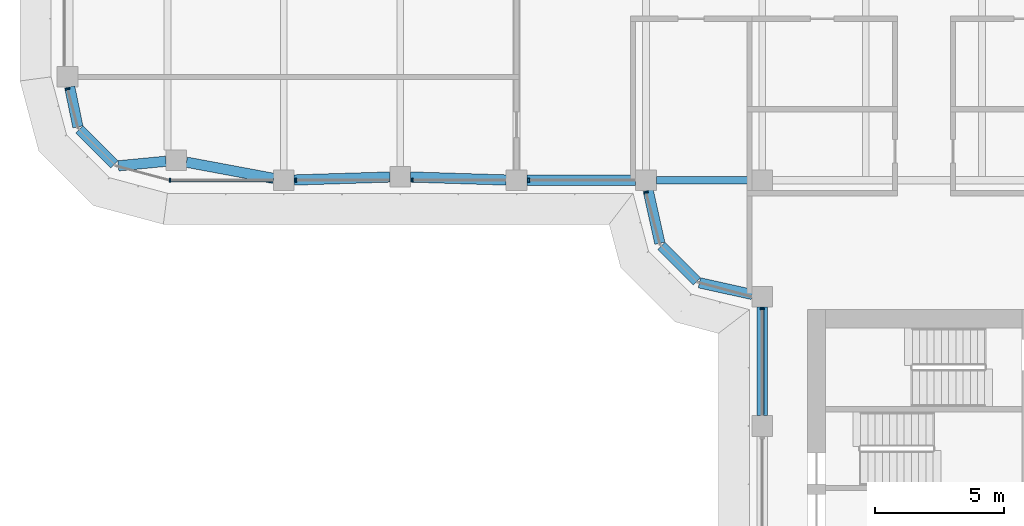
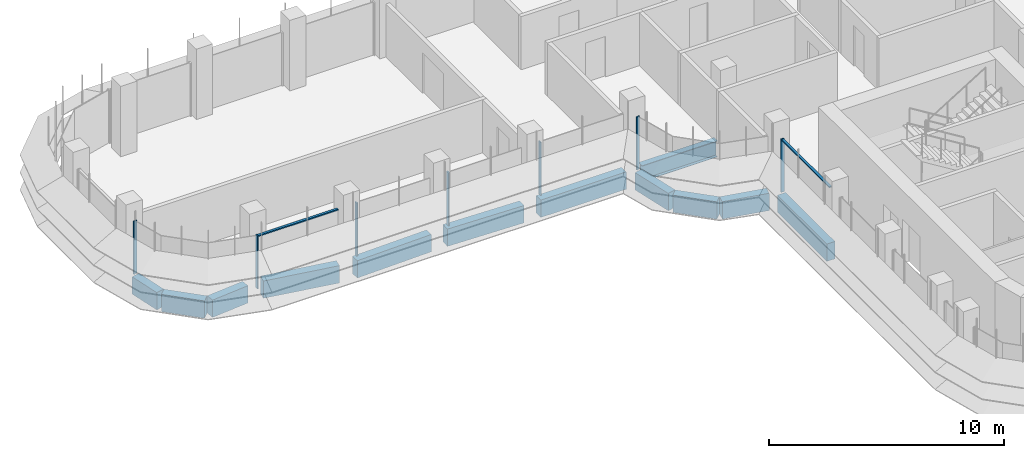
# One storey, part 3 of 19: 12 beams, 9 members, 4 elements without a shape of their own.
"""IFC4 building model written with IfcOpenShell, lengths in metres."""

from ifc_helpers import new_model, si_unit, direction, frame, origin, origin_2d, place, context, subcontext, project, spatial, polyline, rectangle, i_section, outline, extrude, source, transform, mapped, material, material_profile, profile_set, type_object, element, aggregate, save


model = new_model("IFC4")

# Units and contexts
model_context = context("Model", 3, precision=1e-05, world=origin(), true_north=direction((0.0, 1.0)))
body_context = subcontext(model_context, "Body", "Model", "MODEL_VIEW")
ifc_project = project(units=[si_unit("LENGTHUNIT", "METRE"), si_unit("AREAUNIT", "SQUARE_METRE"), si_unit("VOLUMEUNIT", "CUBIC_METRE"), si_unit("PLANEANGLEUNIT", "RADIAN"), si_unit("MASSUNIT", "GRAM", prefix="KILO")], contexts=[model_context])

# Site, building, storey
site_placement = place(None, origin())
site = spatial("IfcSite", under=ifc_project, at=site_placement, CompositionType="ELEMENT")
building_placement = place(site_placement, origin())
building = spatial("IfcBuilding", under=site, at=building_placement, Name="Zarbagh Exchange Tower", CompositionType="ELEMENT")
storey_placement = place(building_placement, frame((0.0, 0.0, 179.0)))
storey = spatial("IfcBuildingStorey", under=building, at=storey_placement, Name="L43", CompositionType="ELEMENT", Elevation=179.0)

# Beams
ifc_material_1 = material(Name="Steel ASTM A992 Gr 50", Category="steel")
ifc_material_profile_1 = material_profile(ifc_material_1, i_section(OverallWidth=0.2919921875, OverallDepth=0.835693359375, WebThickness=0.013916015625, FlangeThickness=0.018798828125, at=origin_2d()), Name="W33X118")
ifc_profile_set_1 = profile_set([ifc_material_profile_1], Name="Steel ASTM A992 Gr 50")
beam_type_1 = type_object("IfcBeamType", Name="Floor girder W33X118", PredefinedType="BEAM", material=ifc_profile_set_1)
beam_1_placement = place(storey_placement, frame((-10.35009765625, -6.25, -0.56787109375), z_axis=(1.0, 0.0, 0.0), x_axis=(0.0, 1.0, 0.0)))
element("IfcBeam", 1, at=beam_1_placement, inside=storey, type_object=beam_type_1, Name="Steel girder", PredefinedType="BEAM", context=body_context, shape_type="SweptSolid", body=[
    extrude(i_section(OverallWidth=0.2919921875, OverallDepth=0.835693359375, WebThickness=0.013916015625, FlangeThickness=0.018798828125, at=origin_2d()), origin(), (0.0, 0.0, 1.0), 3.7001953125),
])
ifc_material_2 = material(Name="Concrete C50/60", Category="concrete")
ifc_material_profile_2 = material_profile(ifc_material_2, rectangle(XDim=0.39990234375, YDim=0.89990234375, at=origin_2d()), Name="RC spandrel beam 400 x 900 C50/60")
ifc_profile_set_2 = profile_set([ifc_material_profile_2], Name="Concrete C50/60")
beam_type_2 = type_object("IfcBeamType", Name="RC spandrel beam 400 x 900 C50/60", PredefinedType="SPANDREL", material=ifc_profile_set_2)
beam_2_placement = place(storey_placement, frame((-6.25, -15.35009765625, -0.60009765625), z_axis=(0.0, 1.0, 0.0), x_axis=(-1.0, 0.0, 0.0)))
element("IfcBeam", 2, at=beam_2_placement, inside=storey, type_object=beam_type_2, Name="RC spandrel beam", PredefinedType="SPANDREL", context=body_context, shape_type="SweptSolid", body=[
    extrude(rectangle(XDim=0.39990234375, YDim=0.89990234375, at=origin_2d()), origin(), (0.0, 0.0, 1.0), 4.2001953125),
])
beam_3_placement = place(storey_placement, frame((-6.640625, -10.66357421875, -0.60009765625), z_axis=(-0.976384278741, 0.216041061437, 0.0), x_axis=(-0.216041061437, -0.976384278741, 0.0)))
element("IfcBeam", 3, at=beam_3_placement, inside=storey, type_object=beam_type_2, Name="RC spandrel beam", PredefinedType="SPANDREL", context=body_context, shape_type="SweptSolid", body=[
    extrude(rectangle(XDim=0.39990234375, YDim=0.89990234375, at=origin_2d()), origin(), (0.0, 0.0, 1.0), 2.0927734375),
])
beam_4_placement = place(storey_placement, frame((-8.782470703125, -10.15771484375, -0.60009765625), z_axis=(-0.707106781187, 0.707106781187, 0.0), x_axis=(-0.707106781187, -0.707106781187, 0.0)))
element("IfcBeam", 4, at=beam_4_placement, inside=storey, type_object=beam_type_2, Name="RC spandrel beam", PredefinedType="SPANDREL", context=body_context, shape_type="SweptSolid", body=[
    extrude(rectangle(XDim=0.39990234375, YDim=0.89990234375, at=origin_2d()), origin(), (0.0, 0.0, 1.0), 1.94482421875),
])
beam_5_placement = place(storey_placement, frame((-10.21142578125, -8.68408203125, -0.60009765625), z_axis=(-0.216041061437, 0.976384278741, 0.0), x_axis=(-0.976384278741, -0.216041061437, 0.0)))
element("IfcBeam", 5, at=beam_5_placement, inside=storey, type_object=beam_type_2, Name="RC spandrel beam", PredefinedType="SPANDREL", context=body_context, shape_type="SweptSolid", body=[
    extrude(rectangle(XDim=0.39990234375, YDim=0.89990234375, at=origin_2d()), origin(), (0.0, 0.0, 1.0), 2.0927734375),
])
beam_6_placement = place(storey_placement, frame((-11.14990234375, -6.25, -0.60009765625), z_axis=(-1.0, 0.0, 0.0), x_axis=(0.0, -1.0, 0.0)))
element("IfcBeam", 6, at=beam_6_placement, inside=storey, type_object=beam_type_2, Name="RC spandrel beam", PredefinedType="SPANDREL", context=body_context, shape_type="SweptSolid", body=[
    extrude(rectangle(XDim=0.39990234375, YDim=0.89990234375, at=origin_2d()), origin(), (0.0, 0.0, 1.0), 4.2001953125),
])
for number, where, z_axis, x_axis, name in (
    (7, (-16.14990234375, -6.237548828125, -0.60009765625), (-0.999515416033, 0.031127690444, 0.0), (-0.031127690444, -0.999515416033, 0.0), "RC spandrel beam"),
    (8, (-20.64990234375, -6.122314453125, -0.60009765625), (-0.999515416033, -0.031127690444, 0.0), (0.031127690444, -0.999515416033, 0.0), "RC spandrel beam"),
):
    element("IfcBeam", number, at=place(storey_placement, frame(where, z_axis=z_axis, x_axis=x_axis)), inside=storey, type_object=beam_type_2, Name=name, PredefinedType="SPANDREL", context=body_context, shape_type="SweptSolid", body=[
        extrude(rectangle(XDim=0.39990234375, YDim=0.89990234375, at=origin_2d()), origin(), (0.0, 0.0, 1.0), 3.701904296875),
    ])
beam_7_placement = place(storey_placement, frame((-25.143310546875, -6.1767578125, -0.60009765625), z_axis=(-0.983069862768, 0.183231124313, 0.0), x_axis=(-0.183231124313, -0.983069862768, 0.0)))
element("IfcBeam", 9, at=beam_7_placement, inside=storey, type_object=beam_type_2, Name="RC spandrel beam", PredefinedType="SPANDREL", context=body_context, shape_type="SweptSolid", body=[
    extrude(rectangle(XDim=0.39990234375, YDim=0.89990234375, at=origin_2d()), origin(), (0.0, 0.0, 1.0), 3.4296875),
])
beam_8_placement = place(storey_placement, frame((-29.30615234375, -5.51318359375, -0.60009765625), z_axis=(-0.995435353267, -0.095438239015, 0.0), x_axis=(0.095438239015, -0.995435353267, 0.0)))
element("IfcBeam", 10, at=beam_8_placement, inside=storey, type_object=beam_type_2, Name="RC spandrel beam", PredefinedType="SPANDREL", context=body_context, shape_type="SweptSolid", body=[
    extrude(rectangle(XDim=0.39990234375, YDim=0.89990234375, at=origin_2d()), origin(), (0.0, 0.0, 1.0), 1.849609375),
])
beam_9_placement = place(storey_placement, frame((-31.307861328125, -5.632080078125, -0.60009765625), z_axis=(-0.707106781187, 0.707106781187, 0.0), x_axis=(-0.707106781187, -0.707106781187, 0.0)))
element("IfcBeam", 11, at=beam_9_placement, inside=storey, type_object=beam_type_2, Name="RC spandrel beam", PredefinedType="SPANDREL", context=body_context, shape_type="SweptSolid", body=[
    extrude(rectangle(XDim=0.39990234375, YDim=0.89990234375, at=origin_2d()), origin(), (0.0, 0.0, 1.0), 1.9072265625),
])
beam_10_placement = place(storey_placement, frame((-32.7109375, -4.1826171875, -0.60009765625), z_axis=(-0.20216948151, 0.979350550491, 0.0), x_axis=(-0.979350550491, -0.20216948151, 0.0)))
element("IfcBeam", 12, at=beam_10_placement, inside=storey, type_object=beam_type_2, Name="RC spandrel beam", PredefinedType="SPANDREL", context=body_context, shape_type="SweptSolid", body=[
    extrude(rectangle(XDim=0.39990234375, YDim=0.89990234375, at=origin_2d()), origin(), (0.0, 0.0, 1.0), 1.573486328125),
])

# Curtain wall, member
ifc_material_3 = material(Name="Anodised aluminium frame and glazing", Category="aluminium")
curtain_wall_type = type_object("IfcCurtainWallType", Name="CWB Ribbon glazing, upper zones", PredefinedType="NOTDEFINED", material=ifc_material_3)
curtain_wall_1_placement = place(storey_placement, origin())
curtain_wall_1 = element("IfcCurtainWall", 13, at=curtain_wall_1_placement, inside=storey, type_object=curtain_wall_type, Name="CWB37 curtain wall", PredefinedType="NOTDEFINED")
ifc_material_4 = material(Name="Anodised aluminium frame", Category="aluminium")
member_type_1 = type_object("IfcMemberType", Name="MUB Mullion, anodised aluminium frame", PredefinedType="MULLION", material=ifc_material_4)
shared_shape_1 = source(origin(), body_context, "Body", "SweptSolid", [
    extrude(outline(polyline([(0.0, -0.080078125), (0.06005859375, -0.080078125), (0.06005859375, 0.080078125), (0.0, 0.080078125), (0.0, -0.080078125)])), origin(), (0.0, 0.0, 1.0), 2.75),
])
placement = place(storey_placement, origin())
member_1 = element("IfcMember", 14, at=placement, type_object=member_type_1, Name="CWB37 mullion 1.1", PredefinedType="MULLION", context=body_context, shape_type="MappedRepresentation", body=[
    mapped(shared_shape_1, transform((-33.114501953125, -2.68994140625, 0.0), x_axis=(0.258824779902, -0.965924289636, 0.0), y_axis=(0.965924289636, 0.258824779902, 0.0), z_axis=(0.0, 0.0, 1.0))),
])
aggregate(curtain_wall_1, [member_1])

# Curtain wall, members
curtain_wall_2_placement = place(storey_placement, origin())
curtain_wall_2 = element("IfcCurtainWall", 15, at=curtain_wall_2_placement, inside=storey, type_object=curtain_wall_type, Name="CWB40 curtain wall", PredefinedType="NOTDEFINED")
member_2 = element("IfcMember", 16, at=placement, type_object=member_type_1, Name="CWB40 mullion 1.1", PredefinedType="MULLION", context=body_context, shape_type="MappedRepresentation", body=[
    mapped(shared_shape_1, transform((-29.18408203125, -6.25, 0.0), x_axis=(1.0, 0.0, 0.0), y_axis=(0.0, 1.0, 0.0), z_axis=(0.0, 0.0, 1.0))),
])
member_3 = element("IfcMember", 17, at=placement, type_object=member_type_1, Name="CWB40 mullion 2.1", PredefinedType="MULLION", context=body_context, shape_type="MappedRepresentation", body=[
    mapped(shared_shape_1, transform((-24.31005859375, -6.25, 0.0), x_axis=(1.0, 0.0, 0.0), y_axis=(0.0, 1.0, 0.0), z_axis=(0.0, 0.0, 1.0))),
])
member_4 = element("IfcMember", 18, at=placement, type_object=member_type_1, Name="CWB40 mullion 3.1", PredefinedType="MULLION", context=body_context, shape_type="MappedRepresentation", body=[
    mapped(shared_shape_1, transform((-19.81005859375, -6.25, 0.0), x_axis=(1.0, 0.0, 0.0), y_axis=(0.0, 1.0, 0.0), z_axis=(0.0, 0.0, 1.0))),
])
member_5 = element("IfcMember", 19, at=placement, type_object=member_type_1, Name="CWB40 mullion 4.1", PredefinedType="MULLION", context=body_context, shape_type="MappedRepresentation", body=[
    mapped(shared_shape_1, transform((-15.31005859375, -6.25, 0.0), x_axis=(1.0, 0.0, 0.0), y_axis=(0.0, 1.0, 0.0), z_axis=(0.0, 0.0, 1.0))),
])

# Curtain wall, member
curtain_wall_3_placement = place(storey_placement, origin())
curtain_wall_3 = element("IfcCurtainWall", 20, at=curtain_wall_3_placement, inside=storey, type_object=curtain_wall_type, Name="CWB41 curtain wall", PredefinedType="NOTDEFINED")
member_6 = element("IfcMember", 21, at=placement, type_object=member_type_1, Name="CWB41 mullion 1.1", PredefinedType="MULLION", context=body_context, shape_type="MappedRepresentation", body=[
    mapped(shared_shape_1, transform((-10.74853515625, -6.68994140625, 0.0), x_axis=(0.258824779902, -0.965924289636, 0.0), y_axis=(0.965924289636, 0.258824779902, 0.0), z_axis=(0.0, 0.0, 1.0))),
])
aggregate(curtain_wall_3, [member_6])

# Curtain wall, members
curtain_wall_4_placement = place(storey_placement, origin())
curtain_wall_4 = element("IfcCurtainWall", 22, at=curtain_wall_4_placement, inside=storey, type_object=curtain_wall_type, Name="CWB53 curtain wall", PredefinedType="NOTDEFINED")
member_7 = element("IfcMember", 23, at=placement, type_object=member_type_1, Name="CWB53 mullion 1.1", PredefinedType="MULLION", context=body_context, shape_type="MappedRepresentation", body=[
    mapped(shared_shape_1, transform((-6.25, -11.18994140625, 0.0), x_axis=(0.0, -1.0, 0.0), y_axis=(1.0, 0.0, 0.0), z_axis=(0.0, 0.0, 1.0))),
])
member_type_2 = type_object("IfcMemberType", Name="TRB Transom, anodised aluminium frame", PredefinedType="USERDEFINED", material=ifc_material_4)
shared_shape_2 = source(origin(), body_context, "Body", "SweptSolid", [
    extrude(outline(polyline([(-0.06005859375, -0.06005859375), (0.0, -0.06005859375), (0.0, 0.06005859375), (-0.06005859375, 0.06005859375), (-0.06005859375, -0.06005859375)])), origin(), (0.0, 0.0, 1.0), 4.06005859375),
])
member_8 = element("IfcMember", 24, at=placement, type_object=member_type_2, Name="CWB53 transom 1.1", ObjectType="TRANSOM", PredefinedType="USERDEFINED", context=body_context, shape_type="MappedRepresentation", body=[
    mapped(shared_shape_2, transform((-6.25, -11.25, 2.75), x_axis=(0.0, 0.0, 1.0), y_axis=(-1.0, 0.0, 0.0), z_axis=(0.0, -1.0, 0.0))),
])
aggregate(curtain_wall_4, [member_7, member_8])

# Member
shared_shape_3 = source(origin(), body_context, "Body", "SweptSolid", [
    extrude(outline(polyline([(-0.06005859375, -0.06005859375), (0.0, -0.06005859375), (0.0, 0.06005859375), (-0.06005859375, 0.06005859375), (-0.06005859375, -0.06005859375)])), origin(), (0.0, 0.0, 1.0), 3.93408203125),
])
member_9 = element("IfcMember", 25, at=placement, type_object=member_type_2, Name="CWB40 transom 1.1", ObjectType="TRANSOM", PredefinedType="USERDEFINED", context=body_context, shape_type="MappedRepresentation", body=[
    mapped(shared_shape_3, transform((-29.124267578125, -6.25, 2.75), x_axis=(0.0, 0.0, 1.0), y_axis=(0.0, -1.0, 0.0), z_axis=(1.0, 0.0, 0.0))),
])

aggregate(curtain_wall_2, [member_2, member_9, member_3, member_4, member_5])

save(model, "model.ifc")
